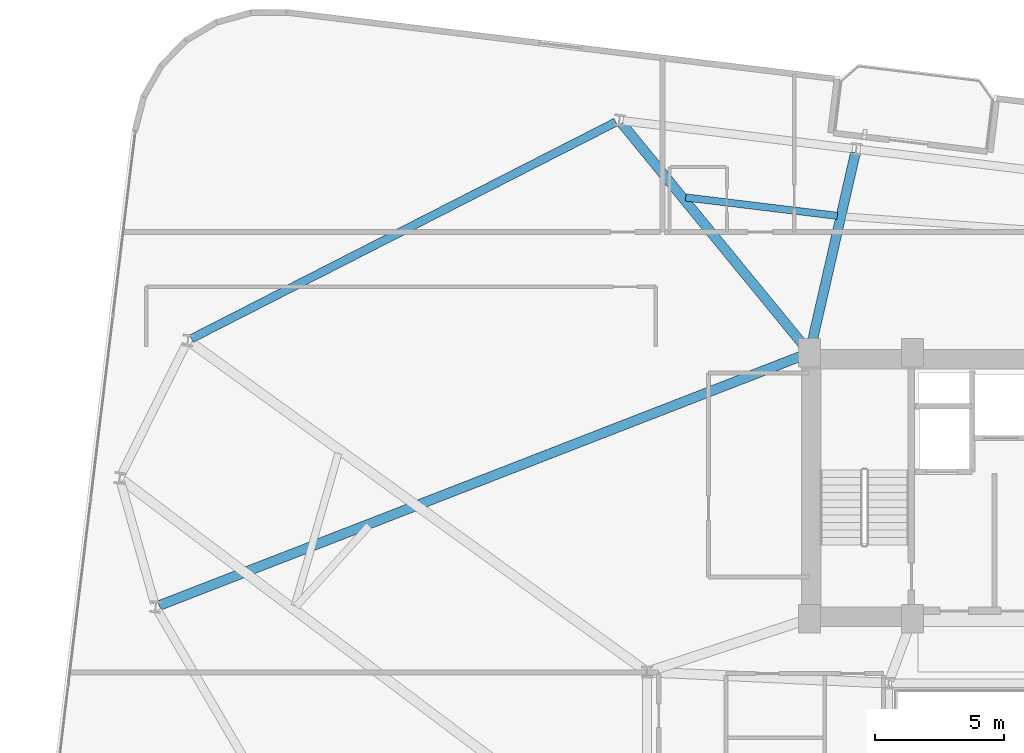
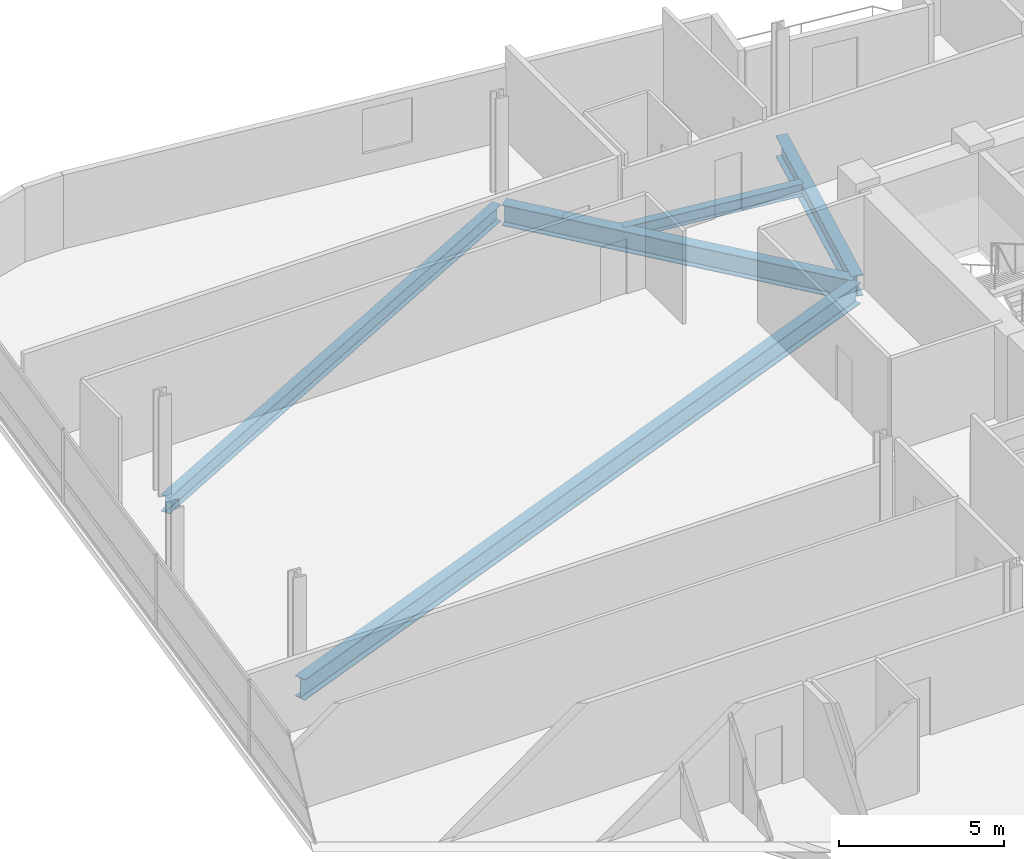
# One storey, part 11 of 26: 5 beams.
"""IFC4 building model written with IfcOpenShell, lengths in metres."""

from ifc_helpers import new_model, si_unit, direction, frame, origin, origin_2d, place, context, subcontext, project, spatial, i_section, extrude, material, material_profile, profile_set, type_object, element, save


model = new_model("IFC4")

# Units and contexts
model_context = context("Model", 3, precision=1e-05, world=origin(), true_north=direction((0.0, 1.0)))
body_context = subcontext(model_context, "Body", "Model", "MODEL_VIEW")
ifc_project = project(units=[si_unit("LENGTHUNIT", "METRE"), si_unit("AREAUNIT", "SQUARE_METRE"), si_unit("VOLUMEUNIT", "CUBIC_METRE"), si_unit("PLANEANGLEUNIT", "RADIAN"), si_unit("MASSUNIT", "GRAM", prefix="KILO")], contexts=[model_context])

# Site, building, storey
site_placement = place(None, origin())
site = spatial("IfcSite", under=ifc_project, at=site_placement, CompositionType="ELEMENT")
building_placement = place(site_placement, origin())
building = spatial("IfcBuilding", under=site, at=building_placement, Name="Varnelok Gate Tower", CompositionType="ELEMENT")
storey_placement = place(building_placement, frame((0.0, 0.0, 151.300048828125)))
storey = spatial("IfcBuildingStorey", under=building, at=storey_placement, Name="L38", CompositionType="ELEMENT", Elevation=151.300048828125)

# Beams
ifc_material = material(Name="Structural Steel ASTM A992 Grade 50", Category="steel")
ifc_material_profile_1 = material_profile(ifc_material, i_section(OverallWidth=0.280029296875, OverallDepth=0.462890625, WebThickness=0.0107421875, FlangeThickness=0.017333984375, FilletRadius=0.014892578125, at=origin_2d()), Name="W18X76")
ifc_profile_set_1 = profile_set([ifc_material_profile_1], Name="Structural Steel ASTM A992 Grade 50")
beam_type_1 = type_object("IfcBeamType", Name="BM-JST-W18X76", PredefinedType="JOIST", material=ifc_profile_set_1)
beam_1_placement = place(storey_placement, frame((31.77099609375, 44.35498046875, -0.4814453125), z_axis=(-0.992731840387, 0.120347385022, 0.0), x_axis=(-0.120347385022, -0.992731840387, 0.0)))
element("IfcBeam", 1, at=beam_1_placement, inside=storey, type_object=beam_type_1, Name="L38 Sector Floor Joist 10", PredefinedType="JOIST", context=body_context, shape_type="SweptSolid", body=[
    extrude(i_section(OverallWidth=0.280029296875, OverallDepth=0.462890625, WebThickness=0.0107421875, FlangeThickness=0.017333984375, FilletRadius=0.014892578125, at=origin_2d()), origin(), (0.0, 0.0, 1.0), 5.91748046875),
])
ifc_material_profile_2 = material_profile(ifc_material, i_section(OverallWidth=0.381103515625, OverallDepth=0.77294921875, WebThickness=0.0166015625, FlangeThickness=0.027099609375, FilletRadius=0.02197265625, at=origin_2d()), Name="W30X173")
ifc_profile_set_2 = profile_set([ifc_material_profile_2], Name="Structural Steel ASTM A992 Grade 50")
beam_type_2 = type_object("IfcBeamType", Name="BM-PRI-W30X173", PredefinedType="BEAM", material=ifc_profile_set_2)
beam_2_placement = place(storey_placement, frame((30.7333984375, 39.1962890625, -0.636474609375), z_axis=(0.223043307507, 0.974808536573, 0.0), x_axis=(-0.974808536573, 0.223043307507, 0.0)))
element("IfcBeam", 2, at=beam_2_placement, inside=storey, type_object=beam_type_2, Name="L38 Radial Floor Girder 12", PredefinedType="BEAM", context=body_context, shape_type="SweptSolid", body=[
    extrude(i_section(OverallWidth=0.381103515625, OverallDepth=0.77294921875, WebThickness=0.0166015625, FlangeThickness=0.027099609375, FilletRadius=0.02197265625, at=origin_2d()), origin(), (0.0, 0.0, 1.0), 7.796875),
])
beam_3_placement = place(storey_placement, frame((30.60498046875, 39.166015625, -0.636474609375), z_axis=(-0.633655000371, 0.773615757663, 0.0), x_axis=(-0.773615757663, -0.633655000371, 0.0)))
element("IfcBeam", 3, at=beam_3_placement, inside=storey, type_object=beam_type_2, Name="L38 Radial Floor Girder 13", PredefinedType="BEAM", context=body_context, shape_type="SweptSolid", body=[
    extrude(i_section(OverallWidth=0.381103515625, OverallDepth=0.77294921875, WebThickness=0.0166015625, FlangeThickness=0.027099609375, FilletRadius=0.02197265625, at=origin_2d()), origin(), (0.0, 0.0, 1.0), 11.341796875),
])
beam_4_placement = place(storey_placement, frame((30.560302734375, 38.99560546875, -0.636474609375), z_axis=(-0.93209869119, -0.362204403454, 0.0), x_axis=(0.362204403454, -0.93209869119, 0.0)))
element("IfcBeam", 4, at=beam_4_placement, inside=storey, type_object=beam_type_2, Name="L38 Radial Floor Girder 16", PredefinedType="BEAM", context=body_context, shape_type="SweptSolid", body=[
    extrude(i_section(OverallWidth=0.381103515625, OverallDepth=0.77294921875, WebThickness=0.0166015625, FlangeThickness=0.027099609375, FilletRadius=0.02197265625, at=origin_2d()), origin(), (0.0, 0.0, 1.0), 26.890869140625),
])
ifc_material_profile_3 = material_profile(ifc_material, i_section(OverallWidth=0.323974609375, OverallDepth=0.611083984375, WebThickness=0.0126953125, FlangeThickness=0.01904296875, FilletRadius=0.01806640625, at=origin_2d()), Name="W24X104")
ifc_profile_set_3 = profile_set([ifc_material_profile_3], Name="Structural Steel ASTM A992 Grade 50")
beam_type_3 = type_object("IfcBeamType", Name="BM-SPN-W24X104", PredefinedType="SPANDREL", material=ifc_profile_set_3)
beam_5_placement = place(storey_placement, frame((23.189697265625, 47.98779296875, -0.5556640625), z_axis=(-0.890729755615, -0.454533279819, 0.0), x_axis=(0.454533279819, -0.890729755615, 0.0)))
element("IfcBeam", 5, at=beam_5_placement, inside=storey, type_object=beam_type_3, Name="L38 Perimeter Spandrel Beam 13", PredefinedType="SPANDREL", context=body_context, shape_type="SweptSolid", body=[
    extrude(i_section(OverallWidth=0.323974609375, OverallDepth=0.611083984375, WebThickness=0.0126953125, FlangeThickness=0.01904296875, FilletRadius=0.01806640625, at=origin_2d()), origin(), (0.0, 0.0, 1.0), 18.466796875),
])

save(model, "model.ifc")
